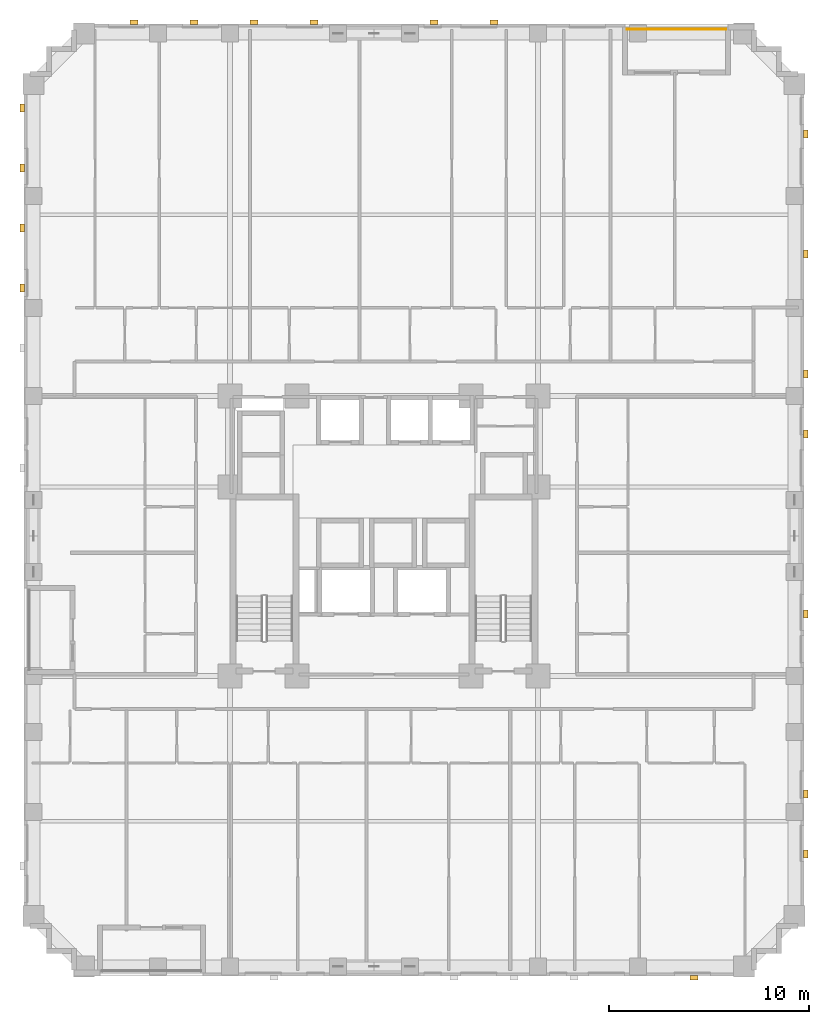
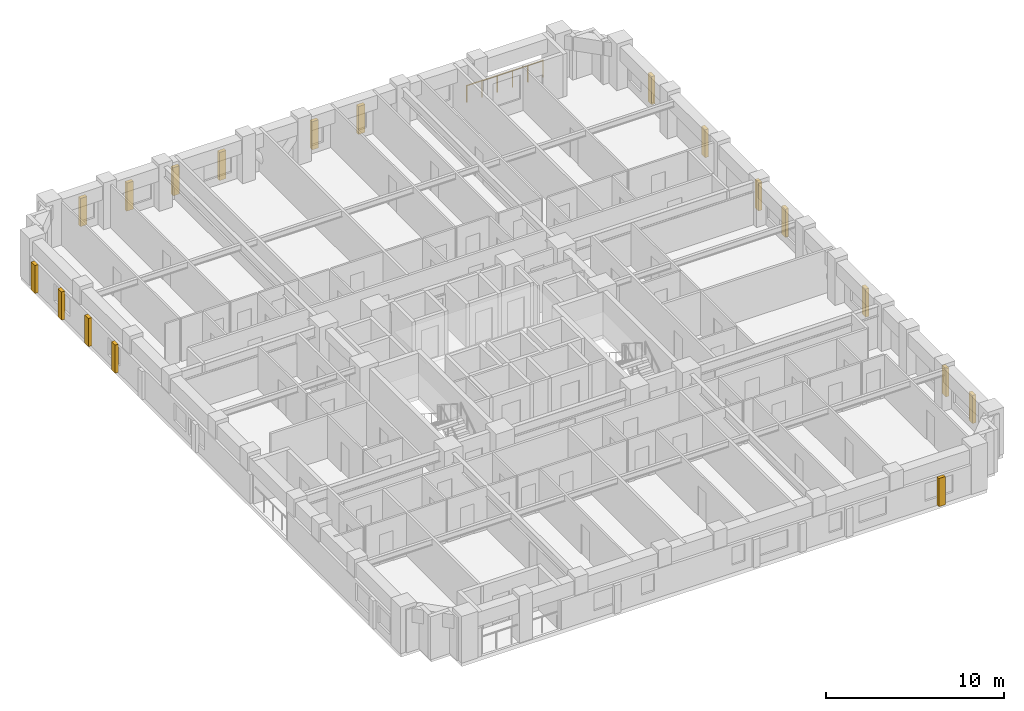
# One storey, part 14 of 14: 18 coverings, 1 railing.
"""IFC4 building model written with IfcOpenShell, lengths in metres."""

from ifc_helpers import new_model, si_unit, derived_unit, direction, frame, origin, origin_2d, place, context, subcontext, project, spatial, rectangle, circle, extrude, material, layer, layer_set, type_object, element, save


model = new_model("IFC4")

# Units and contexts
model_context = context("Model", 3, precision=1e-05, world=origin(), true_north=direction((0.0, 1.0)))
body_context = subcontext(model_context, "Body", "Model", "MODEL_VIEW")
ifc_project = project(units=[si_unit("LENGTHUNIT", "METRE"), si_unit("AREAUNIT", "SQUARE_METRE"), si_unit("VOLUMEUNIT", "CUBIC_METRE"), si_unit("PLANEANGLEUNIT", "RADIAN"), si_unit("MASSUNIT", "GRAM", prefix="KILO"), derived_unit("THERMALTRANSMITTANCEUNIT", [(si_unit("MASSUNIT", "GRAM", prefix="KILO"), 1), (si_unit("TIMEUNIT", "SECOND"), -3), (si_unit("THERMODYNAMICTEMPERATUREUNIT", "KELVIN"), -1)])], contexts=[model_context])

# Site, building, storey
site_placement = place(None, origin())
site = spatial("IfcSite", under=ifc_project, at=site_placement, CompositionType="ELEMENT")
building_placement = place(site_placement, origin())
building = spatial("IfcBuilding", under=site, at=building_placement, Name="Korrvale Station Residences", CompositionType="ELEMENT")
storey_placement = place(building_placement, frame((0.0, 0.0, 57.800048828125)))
storey = spatial("IfcBuildingStorey", under=building, at=storey_placement, Name="L15", CompositionType="ELEMENT", Elevation=57.800048828125)

# Coverings
ifc_material_1 = material(Name="Architectural precast concrete C45/55", Category="concrete")
ifc_layer = layer(ifc_material_1, 0.219970703125, Name="Architectural precast concrete C45/55")
ifc_layer_set = layer_set([ifc_layer], Name="Architectural precast concrete C45/55")
covering_type = type_object("IfcCoveringType", Name="COV-PIER-400", PredefinedType="CLADDING", material=ifc_layer_set)
for number, where, z_axis, x_axis, name in (
    (1, (41.0, -0.090087890625, 0.02490234375), (0.0, 0.0, 1.0), (1.0, 0.0, 0.0), "L15 Architectural Precast Facade Pier 01"),
    (2, (13.0, 47.68994140625, 0.02490234375), (0.0, 0.0, 1.0), (1.0, 0.0, 0.0), "L15 Architectural Precast Facade Pier 06"),
    (3, (16.0, 47.68994140625, 0.02490234375), (0.0, 0.0, 1.0), (1.0, 0.0, 0.0), "L15 Architectural Precast Facade Pier 07"),
    (4, (19.0, 47.68994140625, 0.02490234375), (0.0, 0.0, 1.0), (1.0, 0.0, 0.0), "L15 Architectural Precast Facade Pier 08"),
    (5, (22.0, 47.68994140625, 0.02490234375), (0.0, 0.0, 1.0), (1.0, 0.0, 0.0), "L15 Architectural Precast Facade Pier 09"),
    (6, (28.0, 47.68994140625, 0.02490234375), (0.0, 0.0, 1.0), (1.0, 0.0, 0.0), "L15 Architectural Precast Facade Pier 10"),
    (7, (31.0, 47.68994140625, 0.02490234375), (0.0, 0.0, 1.0), (1.0, 0.0, 0.0), "L15 Architectural Precast Facade Pier 11"),
    (8, (7.409912109375, 34.39990234375, 0.02490234375), (0.0, 0.0, 1.0), (0.0, 1.0, 0.0), "L15 Architectural Precast Facade Pier 15"),
    (9, (7.409912109375, 37.39990234375, 0.02490234375), (0.0, 0.0, 1.0), (0.0, 1.0, 0.0), "L15 Architectural Precast Facade Pier 16"),
    (10, (7.409912109375, 40.39990234375, 0.02490234375), (0.0, 0.0, 1.0), (0.0, 1.0, 0.0), "L15 Architectural Precast Facade Pier 17"),
    (11, (7.409912109375, 43.39990234375, 0.02490234375), (0.0, 0.0, 1.0), (0.0, 1.0, 0.0), "L15 Architectural Precast Facade Pier 18"),
    (12, (46.590087890625, 42.10009765625, 0.02490234375), (0.0, 0.0, 1.0), (0.0, 1.0, 0.0), "L15 Architectural Precast Facade Pier 19"),
    (13, (46.590087890625, 36.10009765625, 0.02490234375), (0.0, 0.0, 1.0), (0.0, 1.0, 0.0), "L15 Architectural Precast Facade Pier 20"),
    (14, (46.590087890625, 30.10009765625, 0.02490234375), (0.0, 0.0, 1.0), (0.0, 1.0, 0.0), "L15 Architectural Precast Facade Pier 21"),
    (15, (46.590087890625, 27.10009765625, 0.02490234375), (0.0, 0.0, 1.0), (0.0, 1.0, 0.0), "L15 Architectural Precast Facade Pier 22"),
    (16, (46.590087890625, 18.10009765625, 0.02490234375), (0.0, 0.0, 1.0), (0.0, 1.0, 0.0), "L15 Architectural Precast Facade Pier 23"),
    (17, (46.590087890625, 9.10009765625, 0.02490234375), (0.0, 0.0, 1.0), (0.0, 1.0, 0.0), "L15 Architectural Precast Facade Pier 24"),
    (18, (46.590087890625, 6.10009765625, 0.02490234375), (0.0, 0.0, 1.0), (0.0, 1.0, 0.0), "L15 Architectural Precast Facade Pier 25"),
):
    element("IfcCovering", number, at=place(storey_placement, frame(where, z_axis=z_axis, x_axis=x_axis)), inside=storey, type_object=covering_type, Name=name, PredefinedType="CLADDING", context=body_context, shape_type="SweptSolid", body=[
        extrude(rectangle(XDim=0.419921875, YDim=0.219970703125, at=origin_2d()), origin(), (0.0, 0.0, 1.0), 1.925048828125),
    ])

# Railing
ifc_material_2 = material(Name="Powder-coated aluminium picket loggia guard", Category="aluminium")
railing_type = type_object("IfcRailingType", Name="RLG-BAL-1150", PredefinedType="GUARDRAIL", material=ifc_material_2)
railing_placement = place(storey_placement, frame((37.64990234375, 47.330078125, 0.0)))
element("IfcRailing", 19, at=railing_placement, inside=storey, type_object=railing_type, Name="L15 Recessed Loggia Guardrail BAL-L15-N1", PredefinedType="GUARDRAIL", context=body_context, shape_type="SweptSolid", body=[
    extrude(circle(Radius=0.02392578125, at=origin_2d()), frame((0.0, 0.0, 1.1259765625), z_axis=(1.0, 0.0, 0.0), x_axis=(0.0, 1.0, 0.0)), (0.0, 0.0, 1.0), 4.9501953125),
    extrude(circle(Radius=0.02099609375, at=origin_2d()), origin(), (0.0, 0.0, 1.0), 1.101806640625),
    extrude(circle(Radius=0.02099609375, at=origin_2d()), frame((0.989990234375, 0.0, 0.0)), (0.0, 0.0, 1.0), 1.101806640625),
    extrude(circle(Radius=0.02099609375, at=origin_2d()), frame((1.97998046875, 0.0, 0.0)), (0.0, 0.0, 1.0), 1.101806640625),
    extrude(circle(Radius=0.02099609375, at=origin_2d()), frame((2.97021484375, 0.0, 0.0)), (0.0, 0.0, 1.0), 1.101806640625),
    extrude(circle(Radius=0.02099609375, at=origin_2d()), frame((3.960205078125, 0.0, 0.0)), (0.0, 0.0, 1.0), 1.101806640625),
    extrude(circle(Radius=0.02099609375, at=origin_2d()), frame((4.9501953125, 0.0, 0.0)), (0.0, 0.0, 1.0), 1.101806640625),
])

save(model, "model.ifc")
